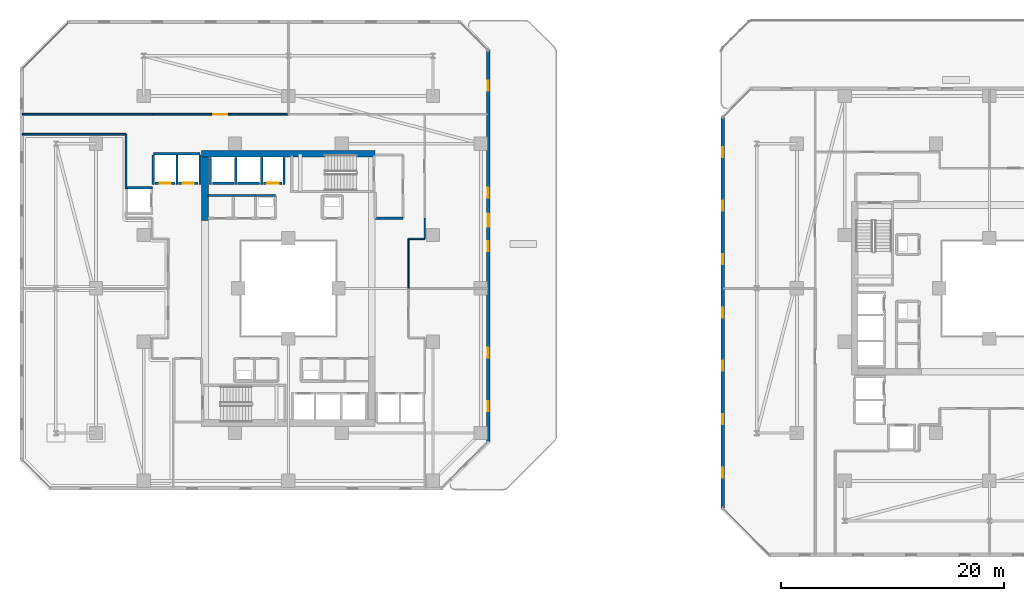
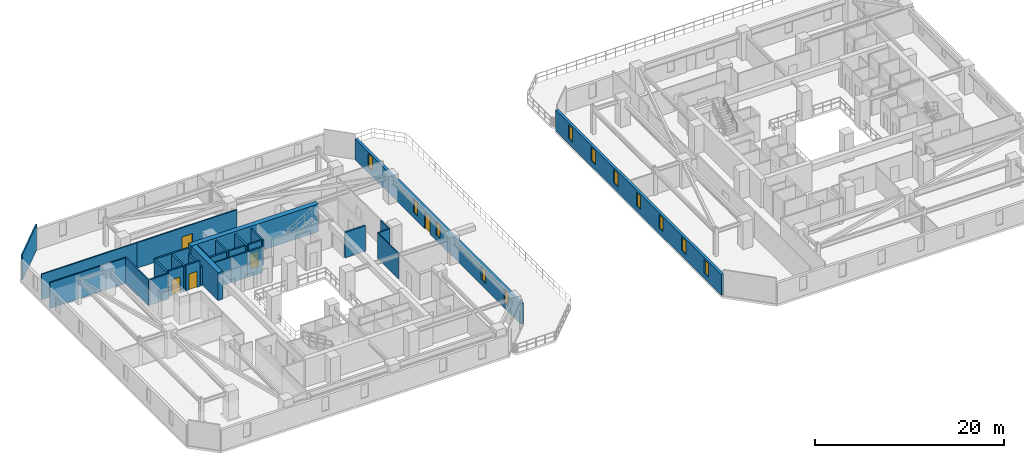
# One storey, part 22 of 33: 30 walls, 12 windows, 5 doors, 17 openings.
"""IFC4 building model written with IfcOpenShell, lengths in metres."""

import ifcopenshell
import ifcopenshell.guid

model = None  # the IFC model being written
_history = None  # IfcOwnerHistory: only IFC2X3 demands one
_inside = {}  # id of a spatial element -> (the spatial element, [elements in it])
_under = {}  # id of a project, library or spatial element -> (it, [spatial elements below it])
_declared = {}  # id of a project -> (the project, [libraries it declares])
_typed = {}  # id of a type object -> (the type object, [elements of that type])
_made_of = {}  # id of a material, layer set ... -> (it, [elements and type objects made of it])


def new_model(schema):
    """Start an empty IFC model of exactly this schema.

    Asked for "IFC4X3", IfcOpenShell would pick the latest addendum, in which some entities
    have other attributes; the version numbers below select the first issue.
    IFC2X3 requires an IfcOwnerHistory on every rooted entity: one is made here for all.
    """
    global model, _history
    if schema == "IFC4X3":
        model = ifcopenshell.file(schema_version=(4, 3, 0, 0))
    else:
        model = ifcopenshell.file(schema=schema)
    _inside.clear()
    _under.clear()
    _declared.clear()
    _typed.clear()
    _made_of.clear()
    _history = None
    if model.schema == "IFC2X3":
        org = make("IfcOrganization", Name="unknown")
        user = make(
            "IfcPersonAndOrganization",
            ThePerson=make("IfcPerson", FamilyName="unknown"),
            TheOrganization=org,
        )
        app = make(
            "IfcApplication",
            ApplicationDeveloper=org,
            Version="unknown",
            ApplicationFullName="unknown",
            ApplicationIdentifier="unknown",
        )
        _history = make(
            "IfcOwnerHistory",
            OwningUser=user,
            OwningApplication=app,
            ChangeAction="ADDED",
            CreationDate=0,
        )
    return model


def make(cls, **values):
    """One entity of the class cls with the attributes given. An attribute that is None is left unset."""
    return model.create_entity(
        cls, **{name: value for name, value in values.items() if value is not None}
    )


def rooted(cls, **values):
    """An entity with a GlobalId (a new one), such as an element, a storey or a relation."""
    return make(cls, GlobalId=ifcopenshell.guid.new(), OwnerHistory=_history, **values)


def si_unit(unit_type, name, prefix=None):
    """IfcSIUnit, for example si_unit("LENGTHUNIT", "METRE", prefix="MILLI")."""
    return make("IfcSIUnit", UnitType=unit_type, Prefix=prefix, Name=name)


def assignment(units):
    """IfcUnitAssignment: the units of a project."""
    return None if units is None else make("IfcUnitAssignment", Units=units)


def point(xyz):
    """IfcCartesianPoint."""
    return None if xyz is None else make("IfcCartesianPoint", Coordinates=xyz)


def direction(xyz):
    """IfcDirection."""
    return None if xyz is None else make("IfcDirection", DirectionRatios=xyz)


def frame(location, z_axis=None, x_axis=None):
    """IfcAxis2Placement3D, a coordinate frame: its origin and axes. An axis left out is left unset."""
    return make(
        "IfcAxis2Placement3D",
        Location=point(location),
        Axis=direction(z_axis),
        RefDirection=direction(x_axis),
    )


def frame_2d(location, x_axis=None):
    """IfcAxis2Placement2D, a coordinate frame in the plane: its origin and x axis."""
    return make(
        "IfcAxis2Placement2D", Location=point(location), RefDirection=direction(x_axis)
    )


def origin():
    """The frame at (0, 0, 0) with its axes left unset."""
    return frame((0.0, 0.0, 0.0))


def place(relative_to, where):
    """IfcLocalPlacement: puts the frame where relative to a parent placement (None: the world)."""
    return make(
        "IfcLocalPlacement", PlacementRelTo=relative_to, RelativePlacement=where
    )


def context(
    kind, dimensions, precision=None, world=None, true_north=None, identifier=None
):
    """IfcGeometricRepresentationContext, for example the 3D "Model" context."""
    return make(
        "IfcGeometricRepresentationContext",
        ContextIdentifier=identifier,
        ContextType=kind,
        CoordinateSpaceDimension=dimensions,
        Precision=precision,
        WorldCoordinateSystem=world,
        TrueNorth=true_north,
    )


def subcontext(parent, identifier, kind, view, scale=None):
    """IfcGeometricRepresentationSubContext, for example "Body" below "Model"."""
    return make(
        "IfcGeometricRepresentationSubContext",
        ContextIdentifier=identifier,
        ContextType=kind,
        ParentContext=parent,
        TargetScale=scale,
        TargetView=view,
    )


def project(units=None, contexts=None):
    """IfcProject with its units and contexts."""
    return rooted(
        "IfcProject",
        Name="project",
        RepresentationContexts=contexts,
        UnitsInContext=assignment(units),
    )


def spatial(cls, under=None, at=None, **own):
    """A site, building, storey or space (cls), placed at a placement, below another one or the project."""
    s = rooted(cls, ObjectPlacement=at, **own)
    if under is not None:
        _under.setdefault(under.id(), (under, []))[1].append(s)
    return s


def profile(cls, at=None, kind="AREA", **sizes):
    """A parametric profile (cls). Its sizes go by their IFC names, for example OverallWidth=200.0."""
    return make(cls, ProfileType=kind, Position=at, **sizes)


def rectangle(**sizes):
    """IfcRectangleProfileDef."""
    return profile("IfcRectangleProfileDef", **sizes)


def extrude(swept, where, along, depth):
    """IfcExtrudedAreaSolid: the profile swept, set in the frame where, extruded along a direction by depth."""
    return make(
        "IfcExtrudedAreaSolid",
        SweptArea=swept,
        Position=where,
        ExtrudedDirection=direction(along),
        Depth=depth,
    )


def shape(context_of_items, identifier, shape_type, items):
    """IfcShapeRepresentation: the items that make up one representation, for example the "Body"."""
    return make(
        "IfcShapeRepresentation",
        ContextOfItems=context_of_items,
        RepresentationIdentifier=identifier,
        RepresentationType=shape_type,
        Items=items,
    )


def material(Name=None, Category=None):
    """IfcMaterial."""
    return make("IfcMaterial", Name=Name, Category=Category)


def layer(
    of_material, thickness, ventilated=None, Name=None, Category=None, Priority=None
):
    """IfcMaterialLayer: one layer of a wall or slab, of a material (None: an air gap)."""
    return make(
        "IfcMaterialLayer",
        Material=of_material,
        LayerThickness=thickness,
        IsVentilated=ventilated,
        Name=Name,
        Category=Category,
        Priority=Priority,
    )


def layer_set(layers, Name=None):
    """IfcMaterialLayerSet."""
    return make("IfcMaterialLayerSet", MaterialLayers=layers, LayerSetName=Name)


def made_of(thing, what):
    """Note that an element or type object is made of a material, layer set ...; save() writes the relation."""
    if what is not None:
        _made_of.setdefault(what.id(), (what, []))[1].append(thing)
    return thing


def type_object(cls, material=None, **own):
    """A type object (cls), such as IfcWallType, which elements share."""
    return made_of(rooted(cls, **own), material)


def element(
    cls,
    number,
    at=None,
    inside=None,
    cuts=None,
    type_object=None,
    material=None,
    context=None,
    identifier="Body",
    shape_type=None,
    held_by="IfcProductDefinitionShape",
    body=None,
    shapes=None,
    **own,
):
    """One element of the class cls, such as IfcWall. Its Tag is "e" and its number.

    at: its placement. inside: the storey or other place that contains it. cuts: it is an
    opening in that element (IfcRelVoidsElement). A single representation is given by context,
    identifier, shape_type and body (its items); several are given by shapes. held_by: the class
    of the entity that holds the representations. save() writes the other relations.
    """
    e = rooted(cls, Tag="e%d" % number, ObjectPlacement=at, **own)
    if body is not None:
        shapes = [shape(context, identifier, shape_type, body)]
    if shapes is not None:
        e.Representation = make(held_by, Representations=shapes)
    if inside is not None:
        _inside.setdefault(inside.id(), (inside, []))[1].append(e)
    if cuts is not None:
        rooted(
            "IfcRelVoidsElement", RelatingBuildingElement=cuts, RelatedOpeningElement=e
        )
    if type_object is not None:
        _typed.setdefault(type_object.id(), (type_object, []))[1].append(e)
    return made_of(e, material)


def fill(opening, filler):
    """IfcRelFillsElement: the door or window that sits in an opening."""
    return rooted(
        "IfcRelFillsElement",
        RelatingOpeningElement=opening,
        RelatedBuildingElement=filler,
    )


def aggregate(whole, parts):
    """IfcRelAggregates: a whole, such as a stair, and the parts it consists of."""
    return rooted("IfcRelAggregates", RelatingObject=whole, RelatedObjects=parts)


def save(model, path):
    """Write the relations noted so far, then the file.

    IfcRelAggregates (storeys below a building ...), IfcRelContainedInSpatialStructure (elements
    in a storey), IfcRelDefinesByType, IfcRelAssociatesMaterial and IfcRelDeclares: one each for
    every whole, place, type object, material and project.
    """
    for whole, parts in _under.values():
        aggregate(whole, parts)
    for where, things in _inside.values():
        rooted(
            "IfcRelContainedInSpatialStructure",
            RelatedElements=things,
            RelatingStructure=where,
        )
    for kind, things in _typed.values():
        rooted("IfcRelDefinesByType", RelatedObjects=things, RelatingType=kind)
    for what, things in _made_of.values():
        rooted("IfcRelAssociatesMaterial", RelatedObjects=things, RelatingMaterial=what)
    for by, libraries in _declared.values():
        rooted("IfcRelDeclares", RelatingContext=by, RelatedDefinitions=libraries)
    model.write(path)


model = new_model("IFC4")

# Units and contexts
model_context = context("Model", 3, precision=1e-05, world=origin(), true_north=direction((0.0, 1.0)))
body_context = subcontext(model_context, "Body", "Model", "MODEL_VIEW")
ifc_project = project(units=[si_unit("LENGTHUNIT", "METRE"), si_unit("AREAUNIT", "SQUARE_METRE"), si_unit("VOLUMEUNIT", "CUBIC_METRE"), si_unit("PLANEANGLEUNIT", "RADIAN"), si_unit("MASSUNIT", "GRAM", prefix="KILO")], contexts=[model_context])

# Site, building, storey
site_placement = place(None, origin())
site = spatial("IfcSite", under=ifc_project, at=site_placement, CompositionType="ELEMENT")
building_placement = place(site_placement, origin())
building = spatial("IfcBuilding", under=site, at=building_placement, Name="Thornwick Lancets Civic Towers", CompositionType="ELEMENT")
storey_placement = place(building_placement, frame((0.0, 0.0, 98.10009765625)))
storey = spatial("IfcBuildingStorey", under=building, at=storey_placement, Name="L25", CompositionType="ELEMENT", Elevation=98.10009765625)

# Wall, opening, door
ifc_material_1 = material(Name="Concrete blockwork C40/50", Category="masonry")
ifc_layer_1 = layer(ifc_material_1, 0.199951171875, Name="Concrete blockwork C40/50")
ifc_layer_set_1 = layer_set([ifc_layer_1], Name="Concrete blockwork C40/50")
wall_type_1 = type_object("IfcWallType", Name="WALL_COMP_200", PredefinedType="STANDARD", material=ifc_layer_set_1)
wall_1_placement = place(storey_placement, frame((24.919921875, 36.449951171875, 0.0), z_axis=(0.0, 0.0, 1.0), x_axis=(-1.0, 0.0, 0.0)))
wall_1 = element("IfcWall", 1, at=wall_1_placement, inside=storey, type_object=wall_type_1, Name="L25 Hoistway Front Wall FL-A2", PredefinedType="STANDARD", context=body_context, shape_type="SweptSolid", body=[
    extrude(rectangle(XDim=1.639892578125, YDim=0.199951171875, at=frame_2d((0.81982421875, 0.0))), origin(), (0.0, 0.0, 1.0), 3.2998046875),
])
opening_1_placement = place(wall_1_placement, frame((0.31005859375, 0.0, 0.0)))
opening_1 = element("IfcOpeningElement", 2, at=opening_1_placement, cuts=wall_1, Name="Opening LD-FL-A2", PredefinedType="OPENING", context=body_context, shape_type="SweptSolid", body=[
    extrude(rectangle(XDim=1.02001953125, YDim=2.06005859375, at=frame_2d((0.510009765625, 1.030029296875))), frame((0.0, 0.10986328125, 0.0), z_axis=(0.0, -1.0, 0.0), x_axis=(1.0, 0.0, 0.0)), (0.0, 0.0, 1.0), 0.219970703125),
])
ifc_material_2 = material(Name="Brushed bronze stainless steel", Category="steel")
door_type_1 = type_object("IfcDoorType", Name="DOOR_LIFT_SLIDE", OperationType="SLIDING_TO_LEFT", PredefinedType="DOOR", material=ifc_material_2)
door_1_placement = place(opening_1_placement, origin())
door_1 = element("IfcDoor", 3, at=door_1_placement, inside=storey, type_object=door_type_1, Name="L25 Sliding Lift Landing Door LD-FL-A2", OperationType="SLIDING_TO_LEFT", OverallHeight=2.06005859375, OverallWidth=1.02001953125, PredefinedType="DOOR", context=body_context, shape_type="SweptSolid", body=[
    extrude(rectangle(XDim=1.02001953125, YDim=2.06005859375, at=frame_2d((0.510009765625, 1.030029296875))), frame((0.0, 0.02490234375, 0.0), z_axis=(0.0, -1.0, 0.0), x_axis=(1.0, 0.0, 0.0)), (0.0, 0.0, 1.0), 0.050048828125),
])
fill(opening_1, door_1)

# Walls
wall_2_placement = place(storey_placement, frame((22.919921875, 36.449951171875, 0.0), z_axis=(0.0, 0.0, 1.0), x_axis=(-1.0, 0.0, 0.0)))
element("IfcWall", 4, at=wall_2_placement, inside=storey, type_object=wall_type_1, Name="L25 Hoistway Front Wall PL-AH2", PredefinedType="STANDARD", context=body_context, shape_type="SweptSolid", body=[
    extrude(rectangle(XDim=1.989990234375, YDim=0.199951171875, at=frame_2d((0.9951171875, 0.0))), origin(), (0.0, 0.0, 1.0), 3.2998046875),
])
wall_3_placement = place(storey_placement, frame((20.6201171875, 36.449951171875, 0.0), z_axis=(0.0, 0.0, 1.0), x_axis=(-1.0, 0.0, 0.0)))
element("IfcWall", 5, at=wall_3_placement, inside=storey, type_object=wall_type_1, Name="L25 Hoistway Front Wall PL-AH3", PredefinedType="STANDARD", context=body_context, shape_type="SweptSolid", body=[
    extrude(rectangle(XDim=1.940185546875, YDim=0.199951171875, at=frame_2d((0.97021484375, 0.0))), origin(), (0.0, 0.0, 1.0), 3.2998046875),
])

# Wall, opening, door
wall_4_placement = place(storey_placement, frame((17.3701171875, 36.449951171875, 0.0), z_axis=(0.0, 0.0, 1.0), x_axis=(-1.0, 0.0, 0.0)))
wall_4 = element("IfcWall", 6, at=wall_4_placement, inside=storey, type_object=wall_type_1, Name="L25 Hoistway Front Wall PL-AM1", PredefinedType="STANDARD", context=body_context, shape_type="SweptSolid", body=[
    extrude(rectangle(XDim=1.740234375, YDim=0.199951171875, at=frame_2d((0.8701171875, 0.0))), origin(), (0.0, 0.0, 1.0), 3.2998046875),
])
opening_2_placement = place(wall_4_placement, frame((0.360107421875, 0.0, 0.0)))
opening_2 = element("IfcOpeningElement", 7, at=opening_2_placement, cuts=wall_4, Name="Opening LD-PL-AM1", PredefinedType="OPENING", context=body_context, shape_type="SweptSolid", body=[
    extrude(rectangle(XDim=1.02001953125, YDim=2.06005859375, at=frame_2d((0.510009765625, 1.030029296875))), frame((0.0, 0.10986328125, 0.0), z_axis=(0.0, -1.0, 0.0), x_axis=(1.0, 0.0, 0.0)), (0.0, 0.0, 1.0), 0.219970703125),
])
door_2_placement = place(opening_2_placement, origin())
door_2 = element("IfcDoor", 8, at=door_2_placement, inside=storey, type_object=door_type_1, Name="L25 Sliding Lift Landing Door LD-PL-AM1", OperationType="SLIDING_TO_LEFT", OverallHeight=2.06005859375, OverallWidth=1.02001953125, PredefinedType="DOOR", context=body_context, shape_type="SweptSolid", body=[
    extrude(rectangle(XDim=1.02001953125, YDim=2.06005859375, at=frame_2d((0.510009765625, 1.030029296875))), frame((0.0, 0.02490234375, 0.0), z_axis=(0.0, -1.0, 0.0), x_axis=(1.0, 0.0, 0.0)), (0.0, 0.0, 1.0), 0.050048828125),
])
fill(opening_2, door_2)

wall_5_placement = place(storey_placement, frame((15.320068359375, 36.449951171875, 0.0), z_axis=(0.0, 0.0, 1.0), x_axis=(-1.0, 0.0, 0.0)))
wall_5 = element("IfcWall", 9, at=wall_5_placement, inside=storey, type_object=wall_type_1, Name="L25 Hoistway Front Wall PL-AM2", PredefinedType="STANDARD", context=body_context, shape_type="SweptSolid", body=[
    extrude(rectangle(XDim=1.7900390625, YDim=0.199951171875, at=frame_2d((0.89501953125, 0.0))), origin(), (0.0, 0.0, 1.0), 3.2998046875),
])
opening_3_placement = place(wall_5_placement, frame((0.385009765625, 0.0, 0.0)))
opening_3 = element("IfcOpeningElement", 10, at=opening_3_placement, cuts=wall_5, Name="Opening LD-PL-AM2", PredefinedType="OPENING", context=body_context, shape_type="SweptSolid", body=[
    extrude(rectangle(XDim=1.02001953125, YDim=2.06005859375, at=frame_2d((0.510009765625, 1.030029296875))), frame((0.0, 0.10986328125, 0.0), z_axis=(0.0, -1.0, 0.0), x_axis=(1.0, 0.0, 0.0)), (0.0, 0.0, 1.0), 0.219970703125),
])
door_3_placement = place(opening_3_placement, origin())
door_3 = element("IfcDoor", 11, at=door_3_placement, inside=storey, type_object=door_type_1, Name="L25 Sliding Lift Landing Door LD-PL-AM2", OperationType="SLIDING_TO_LEFT", OverallHeight=2.06005859375, OverallWidth=1.02001953125, PredefinedType="DOOR", context=body_context, shape_type="SweptSolid", body=[
    extrude(rectangle(XDim=1.02001953125, YDim=2.06005859375, at=frame_2d((0.510009765625, 1.030029296875))), frame((0.0, 0.02490234375, 0.0), z_axis=(0.0, -1.0, 0.0), x_axis=(1.0, 0.0, 0.0)), (0.0, 0.0, 1.0), 0.050048828125),
])
fill(opening_3, door_3)

# Walls
for number, where, z_axis, x_axis, name in (
    (12, (25.10009765625, 36.35205078125, 0.0), (0.0, 0.0, 1.0), (0.0, 1.0, 0.0), "L25 Hoistway Shaft Wall FL-A2 E"),
    (13, (23.10009765625, 36.35205078125, 0.0), (0.0, 0.0, 1.0), (0.0, 1.0, 0.0), "L25 Hoistway Shaft Wall FL-A2 W"),
    (14, (20.77490234375, 36.35205078125, 0.0), (0.0, 0.0, 1.0), (0.0, 1.0, 0.0), "L25 Hoistway Shaft Wall PL-AH2 W"),
    (15, (18.5, 36.35205078125, 0.0), (0.0, 0.0, 1.0), (0.0, 1.0, 0.0), "L25 Hoistway Shaft Wall PL-AH3 W"),
):
    element("IfcWall", number, at=place(storey_placement, frame(where, z_axis=z_axis, x_axis=x_axis)), inside=storey, type_object=wall_type_1, Name=name, PredefinedType="STANDARD", context=body_context, shape_type="SweptSolid", body=[
        extrude(rectangle(XDim=2.43603515625, YDim=0.199951171875, at=frame_2d((1.218017578125, 0.0))), origin(), (0.0, 0.0, 1.0), 3.2998046875),
    ])
wall_6_placement = place(storey_placement, frame((13.35205078125, 39.10009765625, 0.0), z_axis=(0.0, 0.0, 1.0), x_axis=(1.0, 0.0, 0.0)))
element("IfcWall", 16, at=wall_6_placement, inside=storey, type_object=wall_type_1, Name="L25 Hoistway Shaft Wall PL-AM1 N", PredefinedType="STANDARD", context=body_context, shape_type="SweptSolid", body=[
    extrude(rectangle(XDim=4.196044921875, YDim=0.199951171875, at=frame_2d((2.09814453125, 0.0))), origin(), (0.0, 0.0, 1.0), 3.2998046875),
])
wall_7_placement = place(storey_placement, frame((17.550048828125, 36.35205078125, 0.0), z_axis=(0.0, 0.0, 1.0), x_axis=(0.0, 1.0, 0.0)))
element("IfcWall", 17, at=wall_7_placement, inside=storey, type_object=wall_type_1, Name="L25 Hoistway Shaft Wall PL-AM1 E", PredefinedType="STANDARD", context=body_context, shape_type="SweptSolid", body=[
    extrude(rectangle(XDim=2.635986328125, YDim=0.199951171875, at=frame_2d((1.31787109375, 0.0))), origin(), (0.0, 0.0, 1.0), 2.5048828125),
])
for number, where, z_axis, x_axis, name in (
    (18, (15.47509765625, 36.35205078125, 0.0), (0.0, 0.0, 1.0), (0.0, 1.0, 0.0), "L25 Hoistway Shaft Wall PL-AM1 W"),
    (19, (13.35009765625, 36.35205078125, 0.0), (0.0, 0.0, 1.0), (0.0, 1.0, 0.0), "L25 Hoistway Shaft Wall PL-AM2 W"),
):
    element("IfcWall", number, at=place(storey_placement, frame(where, z_axis=z_axis, x_axis=x_axis)), inside=storey, type_object=wall_type_1, Name=name, PredefinedType="STANDARD", context=body_context, shape_type="SweptSolid", body=[
        extrude(rectangle(XDim=2.635986328125, YDim=0.199951171875, at=frame_2d((1.31787109375, 0.0))), origin(), (0.0, 0.0, 1.0), 3.2998046875),
    ])
wall_8_placement = place(storey_placement, frame((11.001953125, 36.050048828125, 0.0), z_axis=(0.0, 0.0, 1.0), x_axis=(1.0, 0.0, 0.0)))
element("IfcWall", 20, at=wall_8_placement, inside=storey, type_object=wall_type_1, Name="L25 Hoistway Shaft Wall PL-AM3 N", PredefinedType="STANDARD", context=body_context, shape_type="SweptSolid", body=[
    extrude(rectangle(XDim=2.296142578125, YDim=0.199951171875, at=frame_2d((1.14794921875, 0.0))), origin(), (0.0, 0.0, 1.0), 3.2998046875),
])
wall_9_placement = place(storey_placement, frame((33.300048828125, 33.300048828125, 0.0), z_axis=(0.0, 0.0, 1.0), x_axis=(1.0, 0.0, 0.0)))
element("IfcWall", 21, at=wall_9_placement, inside=storey, type_object=wall_type_1, Name="L25 Partition L25-A-FFLOB2 E1", PredefinedType="STANDARD", context=body_context, shape_type="SweptSolid", body=[
    extrude(rectangle(XDim=2.5, YDim=0.199951171875, at=frame_2d((1.25, 0.0))), origin(), (0.0, 0.0, 1.0), 3.2998046875),
])
wall_10_placement = place(storey_placement, frame((24.35009765625, 35.35009765625, 0.0), z_axis=(0.0, 0.0, 1.0), x_axis=(-1.0, 0.0, 0.0)))
element("IfcWall", 22, at=wall_10_placement, inside=storey, type_object=wall_type_1, Name="L25 Partition L25-A-DUCT2 E3", PredefinedType="STANDARD", context=body_context, shape_type="SweptSolid", body=[
    extrude(rectangle(XDim=1.800048828125, YDim=0.199951171875, at=frame_2d((0.89990234375, 0.0))), origin(), (0.0, 0.0, 1.0), 3.2998046875),
])
wall_11_placement = place(storey_placement, frame((20.550048828125, 35.35009765625, 0.0), z_axis=(0.0, 0.0, 1.0), x_axis=(1.0, 0.0, 0.0)))
element("IfcWall", 23, at=wall_11_placement, inside=storey, type_object=wall_type_1, Name="L25 Partition L25-A-STR E2", PredefinedType="STANDARD", context=body_context, shape_type="SweptSolid", body=[
    extrude(rectangle(XDim=2.0, YDim=0.199951171875, at=frame_2d((1.0, 0.0))), origin(), (0.0, 0.0, 1.0), 3.2998046875),
])
ifc_material_3 = material(Name="Concrete C60/75", Category="concrete")
ifc_layer_2 = layer(ifc_material_3, 0.60009765625, Name="Concrete C60/75")
ifc_layer_set_2 = layer_set([ifc_layer_2], Name="Concrete C60/75")
wall_type_2 = type_object("IfcWallType", Name="WALL_CORE_600", PredefinedType="SHEAR", material=ifc_layer_set_2)
wall_12_placement = place(storey_placement, frame((17.699951171875, 39.10009765625, 0.0), z_axis=(0.0, 0.0, 1.0), x_axis=(1.0, 0.0, 0.0)))
element("IfcWall", 24, at=wall_12_placement, inside=storey, type_object=wall_type_2, Name="L25 Split Core A2 Shear Wall N", PredefinedType="SHEAR", context=body_context, shape_type="SweptSolid", body=[
    extrude(rectangle(XDim=15.60009765625, YDim=0.60009765625, at=frame_2d((7.800048828125, 0.0))), origin(), (0.0, 0.0, 1.0), 3.599853515625),
])
wall_13_placement = place(storey_placement, frame((18.0, 33.10009765625, 0.0), z_axis=(0.0, 0.0, 1.0), x_axis=(0.0, 1.0, 0.0)))
element("IfcWall", 25, at=wall_13_placement, inside=storey, type_object=wall_type_2, Name="L25 Split Core A2 Shear Wall W", PredefinedType="SHEAR", context=body_context, shape_type="SweptSolid", body=[
    extrude(rectangle(XDim=5.699951171875, YDim=0.60009765625, at=frame_2d((2.85009765625, 0.0))), origin(), (0.0, 0.0, 1.0), 3.599853515625),
])

# Wall, openings, door, windows
ifc_material_4 = material(Name="Insulated buff terracotta rainscreen on concrete C40/50", Category="masonry")
ifc_layer_3 = layer(ifc_material_4, 0.320068359375, Name="Insulated buff terracotta rainscreen on concrete C40/50")
ifc_layer_set_3 = layer_set([ifc_layer_3], Name="Insulated buff terracotta rainscreen on concrete C40/50")
wall_type_3 = type_object("IfcWallType", Name="WALL_EXT_TERRA_320", PredefinedType="STANDARD", material=ifc_layer_set_3)
wall_14_placement = place(storey_placement, frame((43.45947265625, 13.248291015625, 0.0), z_axis=(0.0, 0.0, 1.0), x_axis=(0.000145929605, 0.999999989352, 0.0)))
wall_14 = element("IfcWall", 26, at=wall_14_placement, inside=storey, type_object=wall_type_3, Name="L25 Tower A Terracotta Facade Wall E2", PredefinedType="STANDARD", context=body_context, shape_type="SweptSolid", body=[
    extrude(rectangle(XDim=35.133056640625, YDim=0.320068359375, at=frame_2d((17.56640625, 0.0))), origin(), (0.0, 0.0, 1.0), 2.699951171875),
])
opening_4_placement = place(wall_14_placement, frame((19.29150390625, 0.0, 0.0)))
opening_4 = element("IfcOpeningElement", 27, at=opening_4_placement, cuts=wall_14, Name="Opening D-SG-L25-A2", PredefinedType="OPENING", context=body_context, shape_type="SweptSolid", body=[
    extrude(rectangle(XDim=1.14990234375, YDim=2.10009765625, at=frame_2d((0.574951171875, 1.050048828125))), frame((0.0, 0.169921875, 0.0), z_axis=(0.0, -1.0, 0.0), x_axis=(1.0, 0.0, 0.0)), (0.0, 0.0, 1.0), 0.340087890625),
])
opening_5_placement = place(wall_14_placement, frame((2.699951171875, 0.0, 0.719970703125)))
opening_5 = element("IfcOpeningElement", 28, at=opening_5_placement, cuts=wall_14, Name="Opening WL-01", PredefinedType="OPENING", context=body_context, shape_type="SweptSolid", body=[
    extrude(rectangle(XDim=0.89990234375, YDim=1.75, at=frame_2d((0.449951171875, 0.875))), frame((0.0, 0.169921875, 0.0), z_axis=(0.0, -1.0, 0.0), x_axis=(1.0, 0.0, 0.0)), (0.0, 0.0, 1.0), 0.340087890625),
])
opening_6_placement = place(wall_14_placement, frame((7.5, 0.0, 0.719970703125)))
opening_6 = element("IfcOpeningElement", 29, at=opening_6_placement, cuts=wall_14, Name="Opening WL-01", PredefinedType="OPENING", context=body_context, shape_type="SweptSolid", body=[
    extrude(rectangle(XDim=0.89990234375, YDim=1.75, at=frame_2d((0.449951171875, 0.875))), frame((0.0, 0.169921875, 0.0), z_axis=(0.0, -1.0, 0.0), x_axis=(1.0, 0.0, 0.0)), (0.0, 0.0, 1.0), 0.340087890625),
])
opening_7_placement = place(wall_14_placement, frame((17.10009765625, 0.0, 0.719970703125)))
opening_7 = element("IfcOpeningElement", 30, at=opening_7_placement, cuts=wall_14, Name="Opening WL-01", PredefinedType="OPENING", context=body_context, shape_type="SweptSolid", body=[
    extrude(rectangle(XDim=0.89990234375, YDim=1.75, at=frame_2d((0.449951171875, 0.875))), frame((0.0, 0.169921875, 0.0), z_axis=(0.0, -1.0, 0.0), x_axis=(1.0, 0.0, 0.0)), (0.0, 0.0, 1.0), 0.340087890625),
])
opening_8_placement = place(wall_14_placement, frame((21.89990234375, 0.0, 0.719970703125)))
opening_8 = element("IfcOpeningElement", 31, at=opening_8_placement, cuts=wall_14, Name="Opening WL-01", PredefinedType="OPENING", context=body_context, shape_type="SweptSolid", body=[
    extrude(rectangle(XDim=0.89990234375, YDim=1.75, at=frame_2d((0.449951171875, 0.875))), frame((0.0, 0.169921875, 0.0), z_axis=(0.0, -1.0, 0.0), x_axis=(1.0, 0.0, 0.0)), (0.0, 0.0, 1.0), 0.340087890625),
])
opening_9_placement = place(wall_14_placement, frame((31.5, 0.0, 0.719970703125)))
opening_9 = element("IfcOpeningElement", 32, at=opening_9_placement, cuts=wall_14, Name="Opening WL-01", PredefinedType="OPENING", context=body_context, shape_type="SweptSolid", body=[
    extrude(rectangle(XDim=0.89990234375, YDim=1.75, at=frame_2d((0.449951171875, 0.875))), frame((0.0, 0.169921875, 0.0), z_axis=(0.0, -1.0, 0.0), x_axis=(1.0, 0.0, 0.0)), (0.0, 0.0, 1.0), 0.340087890625),
])
ifc_material_5 = material(Name="Thermally broken glazed terrace doorset")
door_type_2 = type_object("IfcDoorType", Name="DOOR_TERRACE_1200", OperationType="NOTDEFINED", PredefinedType="DOOR", material=ifc_material_5)
door_4_placement = place(opening_4_placement, origin())
door_4 = element("IfcDoor", 33, at=door_4_placement, inside=storey, type_object=door_type_2, Name="L25 Tower A Sky-Garden Terrace Door", OperationType="SINGLE_SWING_RIGHT", OverallHeight=2.10009765625, OverallWidth=1.14990234375, PredefinedType="DOOR", context=body_context, shape_type="SweptSolid", body=[
    extrude(rectangle(XDim=1.14990234375, YDim=2.10009765625, at=frame_2d((0.574951171875, 1.050048828125))), frame((0.0, 0.02490234375, 0.0), z_axis=(0.0, -1.0, 0.0), x_axis=(1.0, 0.0, 0.0)), (0.0, 0.0, 1.0), 0.050048828125),
])
fill(opening_4, door_4)
ifc_material_6 = material(Name="Clear low-e double glazing in bronze frame", Category="glass")
window_type = type_object("IfcWindowType", Name="WIN_LANCET_900", PartitioningType="SINGLE_PANEL", PredefinedType="WINDOW", material=ifc_material_6)
window_1_placement = place(opening_5_placement, origin())
window_1 = element("IfcWindow", 34, at=window_1_placement, inside=storey, type_object=window_type, Name="L25 Tower A Staggered Lancet Window E2-1", OverallHeight=1.75, OverallWidth=0.89990234375, PartitioningType="SINGLE_PANEL", PredefinedType="WINDOW", context=body_context, shape_type="SweptSolid", body=[
    extrude(rectangle(XDim=0.89990234375, YDim=1.75, at=frame_2d((0.449951171875, 0.875))), frame((0.0, 0.030029296875, 0.0), z_axis=(0.0, -1.0, 0.0), x_axis=(1.0, 0.0, 0.0)), (0.0, 0.0, 1.0), 0.06005859375),
])
fill(opening_5, window_1)
window_2_placement = place(opening_6_placement, origin())
window_2 = element("IfcWindow", 35, at=window_2_placement, inside=storey, type_object=window_type, Name="L25 Tower A Staggered Lancet Window E2-2", OverallHeight=1.75, OverallWidth=0.89990234375, PartitioningType="SINGLE_PANEL", PredefinedType="WINDOW", context=body_context, shape_type="SweptSolid", body=[
    extrude(rectangle(XDim=0.89990234375, YDim=1.75, at=frame_2d((0.449951171875, 0.875))), frame((0.0, 0.030029296875, 0.0), z_axis=(0.0, -1.0, 0.0), x_axis=(1.0, 0.0, 0.0)), (0.0, 0.0, 1.0), 0.06005859375),
])
fill(opening_6, window_2)
window_3_placement = place(opening_7_placement, origin())
window_3 = element("IfcWindow", 36, at=window_3_placement, inside=storey, type_object=window_type, Name="L25 Tower A Staggered Lancet Window E2-3", OverallHeight=1.75, OverallWidth=0.89990234375, PartitioningType="SINGLE_PANEL", PredefinedType="WINDOW", context=body_context, shape_type="SweptSolid", body=[
    extrude(rectangle(XDim=0.89990234375, YDim=1.75, at=frame_2d((0.449951171875, 0.875))), frame((0.0, 0.030029296875, 0.0), z_axis=(0.0, -1.0, 0.0), x_axis=(1.0, 0.0, 0.0)), (0.0, 0.0, 1.0), 0.06005859375),
])
fill(opening_7, window_3)
window_4_placement = place(opening_8_placement, origin())
window_4 = element("IfcWindow", 37, at=window_4_placement, inside=storey, type_object=window_type, Name="L25 Tower A Staggered Lancet Window E2-4", OverallHeight=1.75, OverallWidth=0.89990234375, PartitioningType="SINGLE_PANEL", PredefinedType="WINDOW", context=body_context, shape_type="SweptSolid", body=[
    extrude(rectangle(XDim=0.89990234375, YDim=1.75, at=frame_2d((0.449951171875, 0.875))), frame((0.0, 0.030029296875, 0.0), z_axis=(0.0, -1.0, 0.0), x_axis=(1.0, 0.0, 0.0)), (0.0, 0.0, 1.0), 0.06005859375),
])
fill(opening_8, window_4)
window_5_placement = place(opening_9_placement, origin())
window_5 = element("IfcWindow", 38, at=window_5_placement, inside=storey, type_object=window_type, Name="L25 Tower A Staggered Lancet Window E2-5", OverallHeight=1.75, OverallWidth=0.89990234375, PartitioningType="SINGLE_PANEL", PredefinedType="WINDOW", context=body_context, shape_type="SweptSolid", body=[
    extrude(rectangle(XDim=0.89990234375, YDim=1.75, at=frame_2d((0.449951171875, 0.875))), frame((0.0, 0.030029296875, 0.0), z_axis=(0.0, -1.0, 0.0), x_axis=(1.0, 0.0, 0.0)), (0.0, 0.0, 1.0), 0.06005859375),
])
fill(opening_9, window_5)

# Wall, openings, windows
wall_15_placement = place(storey_placement, frame((64.535400390625, 42.38134765625, 0.0), z_axis=(0.0, 0.0, 1.0), x_axis=(0.000145929605, -0.999999989352, 0.0)))
wall_15 = element("IfcWall", 39, at=wall_15_placement, inside=storey, type_object=wall_type_3, Name="L25 Tower B Terracotta Facade Wall E6", PredefinedType="STANDARD", context=body_context, shape_type="SweptSolid", body=[
    extrude(rectangle(XDim=35.133056640625, YDim=0.320068359375, at=frame_2d((17.56640625, 0.0))), origin(), (0.0, 0.0, 1.0), 2.699951171875),
])
opening_10_placement = place(wall_15_placement, frame((2.699951171875, 0.0, 0.719970703125)))
opening_10 = element("IfcOpeningElement", 40, at=opening_10_placement, cuts=wall_15, Name="Opening WL-01", PredefinedType="OPENING", context=body_context, shape_type="SweptSolid", body=[
    extrude(rectangle(XDim=0.89990234375, YDim=1.75, at=frame_2d((0.449951171875, 0.875))), frame((0.0, 0.169921875, 0.0), z_axis=(0.0, -1.0, 0.0), x_axis=(1.0, 0.0, 0.0)), (0.0, 0.0, 1.0), 0.340087890625),
])
opening_11_placement = place(wall_15_placement, frame((7.5, 0.0, 0.719970703125)))
opening_11 = element("IfcOpeningElement", 41, at=opening_11_placement, cuts=wall_15, Name="Opening WL-01", PredefinedType="OPENING", context=body_context, shape_type="SweptSolid", body=[
    extrude(rectangle(XDim=0.89990234375, YDim=1.75, at=frame_2d((0.449951171875, 0.875))), frame((0.0, 0.169921875, 0.0), z_axis=(0.0, -1.0, 0.0), x_axis=(1.0, 0.0, 0.0)), (0.0, 0.0, 1.0), 0.340087890625),
])
opening_12_placement = place(wall_15_placement, frame((12.300048828125, 0.0, 0.719970703125)))
opening_12 = element("IfcOpeningElement", 42, at=opening_12_placement, cuts=wall_15, Name="Opening WL-01", PredefinedType="OPENING", context=body_context, shape_type="SweptSolid", body=[
    extrude(rectangle(XDim=0.89990234375, YDim=1.75, at=frame_2d((0.449951171875, 0.875))), frame((0.0, 0.169921875, 0.0), z_axis=(0.0, -1.0, 0.0), x_axis=(1.0, 0.0, 0.0)), (0.0, 0.0, 1.0), 0.340087890625),
])
opening_13_placement = place(wall_15_placement, frame((17.10009765625, 0.0, 0.719970703125)))
opening_13 = element("IfcOpeningElement", 43, at=opening_13_placement, cuts=wall_15, Name="Opening WL-01", PredefinedType="OPENING", context=body_context, shape_type="SweptSolid", body=[
    extrude(rectangle(XDim=0.89990234375, YDim=1.75, at=frame_2d((0.449951171875, 0.875))), frame((0.0, 0.169921875, 0.0), z_axis=(0.0, -1.0, 0.0), x_axis=(1.0, 0.0, 0.0)), (0.0, 0.0, 1.0), 0.340087890625),
])
opening_14_placement = place(wall_15_placement, frame((21.89990234375, 0.0, 0.719970703125)))
opening_14 = element("IfcOpeningElement", 44, at=opening_14_placement, cuts=wall_15, Name="Opening WL-01", PredefinedType="OPENING", context=body_context, shape_type="SweptSolid", body=[
    extrude(rectangle(XDim=0.89990234375, YDim=1.75, at=frame_2d((0.449951171875, 0.875))), frame((0.0, 0.169921875, 0.0), z_axis=(0.0, -1.0, 0.0), x_axis=(1.0, 0.0, 0.0)), (0.0, 0.0, 1.0), 0.340087890625),
])
opening_15_placement = place(wall_15_placement, frame((26.699951171875, 0.0, 0.719970703125)))
opening_15 = element("IfcOpeningElement", 45, at=opening_15_placement, cuts=wall_15, Name="Opening WL-01", PredefinedType="OPENING", context=body_context, shape_type="SweptSolid", body=[
    extrude(rectangle(XDim=0.89990234375, YDim=1.75, at=frame_2d((0.449951171875, 0.875))), frame((0.0, 0.169921875, 0.0), z_axis=(0.0, -1.0, 0.0), x_axis=(1.0, 0.0, 0.0)), (0.0, 0.0, 1.0), 0.340087890625),
])
opening_16_placement = place(wall_15_placement, frame((31.5, 0.0, 0.719970703125)))
opening_16 = element("IfcOpeningElement", 46, at=opening_16_placement, cuts=wall_15, Name="Opening WL-01", PredefinedType="OPENING", context=body_context, shape_type="SweptSolid", body=[
    extrude(rectangle(XDim=0.89990234375, YDim=1.75, at=frame_2d((0.449951171875, 0.875))), frame((0.0, 0.169921875, 0.0), z_axis=(0.0, -1.0, 0.0), x_axis=(1.0, 0.0, 0.0)), (0.0, 0.0, 1.0), 0.340087890625),
])
window_6_placement = place(opening_10_placement, origin())
window_6 = element("IfcWindow", 47, at=window_6_placement, inside=storey, type_object=window_type, Name="L25 Tower B Staggered Lancet Window E6-1", OverallHeight=1.75, OverallWidth=0.89990234375, PartitioningType="SINGLE_PANEL", PredefinedType="WINDOW", context=body_context, shape_type="SweptSolid", body=[
    extrude(rectangle(XDim=0.89990234375, YDim=1.75, at=frame_2d((0.449951171875, 0.875))), frame((0.0, 0.030029296875, 0.0), z_axis=(0.0, -1.0, 0.0), x_axis=(1.0, 0.0, 0.0)), (0.0, 0.0, 1.0), 0.06005859375),
])
fill(opening_10, window_6)
window_7_placement = place(opening_11_placement, origin())
window_7 = element("IfcWindow", 48, at=window_7_placement, inside=storey, type_object=window_type, Name="L25 Tower B Staggered Lancet Window E6-2", OverallHeight=1.75, OverallWidth=0.89990234375, PartitioningType="SINGLE_PANEL", PredefinedType="WINDOW", context=body_context, shape_type="SweptSolid", body=[
    extrude(rectangle(XDim=0.89990234375, YDim=1.75, at=frame_2d((0.449951171875, 0.875))), frame((0.0, 0.030029296875, 0.0), z_axis=(0.0, -1.0, 0.0), x_axis=(1.0, 0.0, 0.0)), (0.0, 0.0, 1.0), 0.06005859375),
])
fill(opening_11, window_7)
window_8_placement = place(opening_12_placement, origin())
window_8 = element("IfcWindow", 49, at=window_8_placement, inside=storey, type_object=window_type, Name="L25 Tower B Staggered Lancet Window E6-3", OverallHeight=1.75, OverallWidth=0.89990234375, PartitioningType="SINGLE_PANEL", PredefinedType="WINDOW", context=body_context, shape_type="SweptSolid", body=[
    extrude(rectangle(XDim=0.89990234375, YDim=1.75, at=frame_2d((0.449951171875, 0.875))), frame((0.0, 0.030029296875, 0.0), z_axis=(0.0, -1.0, 0.0), x_axis=(1.0, 0.0, 0.0)), (0.0, 0.0, 1.0), 0.06005859375),
])
fill(opening_12, window_8)
window_9_placement = place(opening_13_placement, origin())
window_9 = element("IfcWindow", 50, at=window_9_placement, inside=storey, type_object=window_type, Name="L25 Tower B Staggered Lancet Window E6-4", OverallHeight=1.75, OverallWidth=0.89990234375, PartitioningType="SINGLE_PANEL", PredefinedType="WINDOW", context=body_context, shape_type="SweptSolid", body=[
    extrude(rectangle(XDim=0.89990234375, YDim=1.75, at=frame_2d((0.449951171875, 0.875))), frame((0.0, 0.030029296875, 0.0), z_axis=(0.0, -1.0, 0.0), x_axis=(1.0, 0.0, 0.0)), (0.0, 0.0, 1.0), 0.06005859375),
])
fill(opening_13, window_9)
window_10_placement = place(opening_14_placement, origin())
window_10 = element("IfcWindow", 51, at=window_10_placement, inside=storey, type_object=window_type, Name="L25 Tower B Staggered Lancet Window E6-5", OverallHeight=1.75, OverallWidth=0.89990234375, PartitioningType="SINGLE_PANEL", PredefinedType="WINDOW", context=body_context, shape_type="SweptSolid", body=[
    extrude(rectangle(XDim=0.89990234375, YDim=1.75, at=frame_2d((0.449951171875, 0.875))), frame((0.0, 0.030029296875, 0.0), z_axis=(0.0, -1.0, 0.0), x_axis=(1.0, 0.0, 0.0)), (0.0, 0.0, 1.0), 0.06005859375),
])
fill(opening_14, window_10)
window_11_placement = place(opening_15_placement, origin())
window_11 = element("IfcWindow", 52, at=window_11_placement, inside=storey, type_object=window_type, Name="L25 Tower B Staggered Lancet Window E6-6", OverallHeight=1.75, OverallWidth=0.89990234375, PartitioningType="SINGLE_PANEL", PredefinedType="WINDOW", context=body_context, shape_type="SweptSolid", body=[
    extrude(rectangle(XDim=0.89990234375, YDim=1.75, at=frame_2d((0.449951171875, 0.875))), frame((0.0, 0.030029296875, 0.0), z_axis=(0.0, -1.0, 0.0), x_axis=(1.0, 0.0, 0.0)), (0.0, 0.0, 1.0), 0.06005859375),
])
fill(opening_15, window_11)
window_12_placement = place(opening_16_placement, origin())
window_12 = element("IfcWindow", 53, at=window_12_placement, inside=storey, type_object=window_type, Name="L25 Tower B Staggered Lancet Window E6-7", OverallHeight=1.75, OverallWidth=0.89990234375, PartitioningType="SINGLE_PANEL", PredefinedType="WINDOW", context=body_context, shape_type="SweptSolid", body=[
    extrude(rectangle(XDim=0.89990234375, YDim=1.75, at=frame_2d((0.449951171875, 0.875))), frame((0.0, 0.030029296875, 0.0), z_axis=(0.0, -1.0, 0.0), x_axis=(1.0, 0.0, 0.0)), (0.0, 0.0, 1.0), 0.06005859375),
])
fill(opening_16, window_12)

# Walls
ifc_material_7 = material(Name="Acoustic gypsum board partition")
ifc_layer_4 = layer(ifc_material_7, 0.1201171875, Name="Acoustic gypsum board partition")
ifc_layer_set_4 = layer_set([ifc_layer_4], Name="Acoustic gypsum board partition")
wall_type_4 = type_object("IfcWallType", Name="WALL_PART_120", PredefinedType="PARTITIONING", material=ifc_layer_set_4)
wall_16_placement = place(storey_placement, frame((36.300048828125, 31.449951171875, 0.0), z_axis=(0.0, 0.0, 1.0), x_axis=(1.0, 0.0, 0.0)))
element("IfcWall", 54, at=wall_16_placement, inside=storey, type_object=wall_type_4, Name="L25 Partition L25-A-E2 E1", PredefinedType="PARTITIONING", context=body_context, shape_type="SweptSolid", body=[
    extrude(rectangle(XDim=1.449951171875, YDim=0.1201171875, at=frame_2d((0.72509765625, 0.0))), origin(), (0.0, 0.0, 1.0), 3.2998046875),
])
wall_17_placement = place(storey_placement, frame((37.75, 31.449951171875, 0.0), z_axis=(0.0, 0.0, 1.0), x_axis=(0.0, 1.0, 0.0)))
element("IfcWall", 55, at=wall_17_placement, inside=storey, type_object=wall_type_4, Name="L25 Partition L25-A-E2 E2", PredefinedType="PARTITIONING", context=body_context, shape_type="SweptSolid", body=[
    extrude(rectangle(XDim=1.85009765625, YDim=0.1201171875, at=frame_2d((0.925048828125, 0.0))), origin(), (0.0, 0.0, 1.0), 3.2998046875),
])
wall_18_placement = place(storey_placement, frame((36.300048828125, 27.0, 0.0), z_axis=(0.0, 0.0, 1.0), x_axis=(0.0, 1.0, 0.0)))
element("IfcWall", 56, at=wall_18_placement, inside=storey, type_object=wall_type_4, Name="L25 Partition L25-A-E2 E7", PredefinedType="PARTITIONING", context=body_context, shape_type="SweptSolid", body=[
    extrude(rectangle(XDim=4.449951171875, YDim=0.1201171875, at=frame_2d((2.22509765625, 0.0))), origin(), (0.0, 0.0, 1.0), 3.2998046875),
])
ifc_material_8 = material(Name="Twin-stud acoustic gypsum board")
ifc_layer_5 = layer(ifc_material_8, 0.14990234375, Name="Twin-stud acoustic gypsum board")
ifc_layer_set_5 = layer_set([ifc_layer_5], Name="Twin-stud acoustic gypsum board")
wall_type_5 = type_object("IfcWallType", Name="WALL_PART_150", PredefinedType="PARTITIONING", material=ifc_layer_set_5)
wall_19_placement = place(storey_placement, frame((20.550048828125, 35.35009765625, 0.0), z_axis=(0.0, 0.0, 1.0), x_axis=(-1.0, 0.0, 0.0)))
element("IfcWall", 57, at=wall_19_placement, inside=storey, type_object=wall_type_5, Name="L25 Partition L25-A-AWC E3", PredefinedType="PARTITIONING", context=body_context, shape_type="SweptSolid", body=[
    extrude(rectangle(XDim=2.25, YDim=0.14990234375, at=frame_2d((1.125, 0.0))), origin(), (0.0, 0.0, 1.0), 3.2998046875),
])
wall_20_placement = place(storey_placement, frame((10.89990234375, 40.85009765625, 0.0), z_axis=(0.0, 0.0, 1.0), x_axis=(0.0, -1.0, 0.0)))
element("IfcWall", 58, at=wall_20_placement, inside=storey, type_object=wall_type_5, Name="L25 Partition L25-A-W2 E1", PredefinedType="PARTITIONING", context=body_context, shape_type="SweptSolid", body=[
    extrude(rectangle(XDim=4.912109375, YDim=0.14990234375, at=frame_2d((2.4560546875, 0.0))), origin(), (0.0, 0.0, 1.0), 3.2998046875),
])
wall_21_placement = place(storey_placement, frame((1.580078125, 40.85009765625, 0.0), z_axis=(0.0, 0.0, 1.0), x_axis=(1.0, 0.0, 0.0)))
element("IfcWall", 59, at=wall_21_placement, inside=storey, type_object=wall_type_5, Name="L25 Partition L25-A-W2 E9", PredefinedType="PARTITIONING", context=body_context, shape_type="SweptSolid", body=[
    extrude(rectangle(XDim=9.31982421875, YDim=0.14990234375, at=frame_2d((4.659912109375, 0.0))), origin(), (0.0, 0.0, 1.0), 3.2998046875),
])
wall_22_placement = place(storey_placement, frame((13.25, 42.64990234375, 0.0), z_axis=(0.0, 0.0, 1.0), x_axis=(-1.0, 0.0, 0.0)))
element("IfcWall", 60, at=wall_22_placement, inside=storey, type_object=wall_type_5, Name="L25 Partition L25-A-N-CONF E1", PredefinedType="PARTITIONING", context=body_context, shape_type="SweptSolid", body=[
    extrude(rectangle(XDim=11.669921875, YDim=0.14990234375, at=frame_2d((5.8349609375, 0.0))), origin(), (0.0, 0.0, 1.0), 3.2998046875),
])
wall_23_placement = place(storey_placement, frame((1.580078125, 46.789306640625, 0.0), z_axis=(0.0, 0.0, 1.0), x_axis=(0.707106781187, 0.707106781187, 0.0)))
element("IfcWall", 61, at=wall_23_placement, inside=storey, type_object=wall_type_5, Name="L25 Partition L25-A-N-CONF E3", PredefinedType="PARTITIONING", context=body_context, shape_type="SweptSolid", body=[
    extrude(rectangle(XDim=5.841552734375, YDim=0.14990234375, at=frame_2d((2.9208984375, 0.0))), origin(), (0.0, 0.0, 1.0), 3.2998046875),
])

# Wall, opening, door
wall_24_placement = place(storey_placement, frame((25.5, 42.64990234375, 0.0), z_axis=(0.0, 0.0, 1.0), x_axis=(-1.0, 0.0, 0.0)))
wall_24 = element("IfcWall", 62, at=wall_24_placement, inside=storey, type_object=wall_type_5, Name="L25 Partition L25-A-N-CONF E6", PredefinedType="PARTITIONING", context=body_context, shape_type="SweptSolid", body=[
    extrude(rectangle(XDim=12.25, YDim=0.14990234375, at=frame_2d((6.125, 0.0))), origin(), (0.0, 0.0, 1.0), 3.2998046875),
])
opening_17_placement = place(wall_24_placement, frame((5.47509765625, 0.0, 0.0)))
opening_17 = element("IfcOpeningElement", 63, at=opening_17_placement, cuts=wall_24, Name="Opening D-L25-1181", PredefinedType="OPENING", context=body_context, shape_type="SweptSolid", body=[
    extrude(rectangle(XDim=1.300048828125, YDim=2.1201171875, at=frame_2d((0.64990234375, 1.06005859375))), frame((0.0, 0.0849609375, 0.0), z_axis=(0.0, -1.0, 0.0), x_axis=(1.0, 0.0, 0.0)), (0.0, 0.0, 1.0), 0.169921875),
])
ifc_material_9 = material(Name="Acoustic oak leaf-and-a-half doorset")
door_type_3 = type_object("IfcDoorType", Name="DOOR_MEET_1300", OperationType="DOUBLE_DOOR_SINGLE_SWING", PredefinedType="DOOR", material=ifc_material_9)
door_5_placement = place(opening_17_placement, origin())
door_5 = element("IfcDoor", 64, at=door_5_placement, inside=storey, type_object=door_type_3, Name="L25 Tower A North Conference Room Door", OperationType="DOUBLE_DOOR_SINGLE_SWING", OverallHeight=2.1201171875, OverallWidth=1.300048828125, PredefinedType="DOOR", context=body_context, shape_type="SweptSolid", body=[
    extrude(rectangle(XDim=1.300048828125, YDim=2.1201171875, at=frame_2d((0.64990234375, 1.06005859375))), frame((0.0, 0.02490234375, 0.0), z_axis=(0.0, -1.0, 0.0), x_axis=(1.0, 0.0, 0.0)), (0.0, 0.0, 1.0), 0.050048828125),
])
fill(opening_17, door_5)

save(model, "model.ifc")
